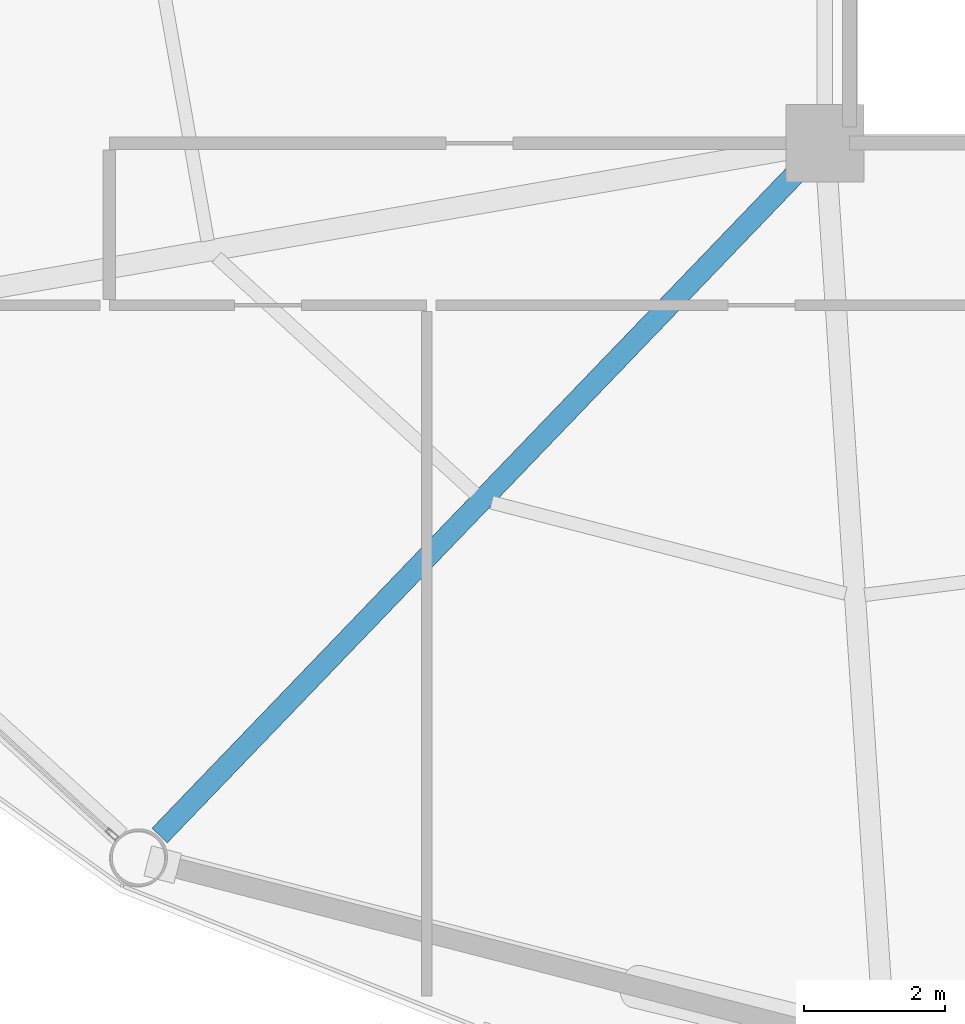
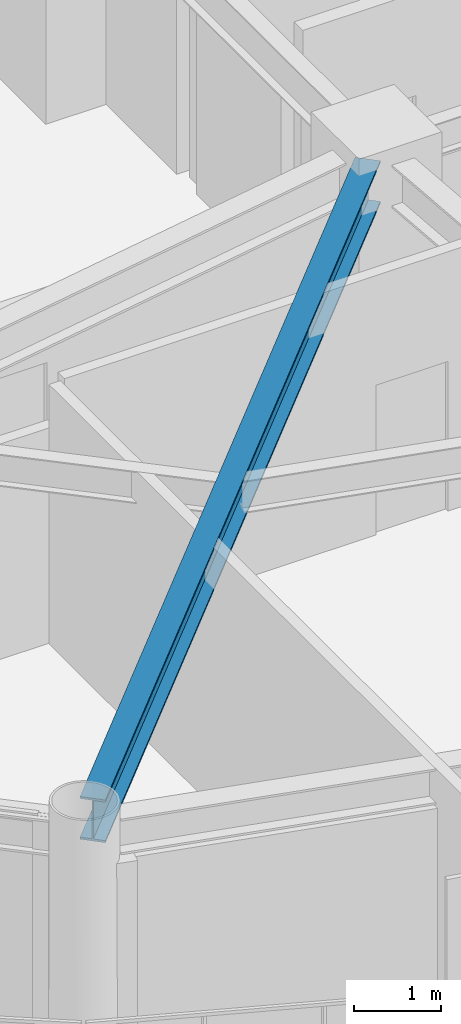
# One storey, part 3 of 24: 1 beam.
"""IFC4 building model written with IfcOpenShell, lengths in metres."""

from ifc_helpers import new_model, si_unit, direction, frame, origin, origin_2d, place, context, subcontext, project, spatial, i_section, extrude, material, material_profile, profile_set, type_object, element, save


model = new_model("IFC4")

# Units and contexts
model_context = context("Model", 3, precision=1e-05, world=origin(), true_north=direction((0.0, 1.0)))
body_context = subcontext(model_context, "Body", "Model", "MODEL_VIEW")
ifc_project = project(units=[si_unit("LENGTHUNIT", "METRE"), si_unit("AREAUNIT", "SQUARE_METRE"), si_unit("VOLUMEUNIT", "CUBIC_METRE"), si_unit("PLANEANGLEUNIT", "RADIAN"), si_unit("MASSUNIT", "GRAM", prefix="KILO")], contexts=[model_context])

# Site, building, storey
site_placement = place(None, origin())
site = spatial("IfcSite", under=ifc_project, at=site_placement, CompositionType="ELEMENT")
building_placement = place(site_placement, origin())
building = spatial("IfcBuilding", under=site, at=building_placement, Name="Varnakorn Sky Granary", CompositionType="ELEMENT")
storey_placement = place(building_placement, frame((0.0, 0.0, 118.800048828125)))
storey = spatial("IfcBuildingStorey", under=building, at=storey_placement, Name="L29", CompositionType="ELEMENT", Elevation=118.800048828125)

# Beam
ifc_material = material(Name="Steel S355JR", Category="steel")
ifc_material_profile = material_profile(ifc_material, i_section(OverallWidth=0.300048828125, OverallDepth=0.60009765625, WebThickness=0.015380859375, FlangeThickness=0.030029296875, at=origin_2d()), Name="HE 600 B")
ifc_profile_set = profile_set([ifc_material_profile], Name="Steel S355JR")
beam_type = type_object("IfcBeamType", Name="BM-RAD-Z2", PredefinedType="BEAM", material=ifc_profile_set)
beam_placement = place(storey_placement, frame((-2.64111328125, -6.90283203125, 3.33984375), z_axis=(-0.692871356085, -0.721061220644, 0.0), x_axis=(0.721061220644, -0.692871356085, 0.0)))
element("IfcBeam", 1, at=beam_placement, inside=storey, type_object=beam_type, Name="Radial Floor Girder RG09 L29", PredefinedType="BEAM", context=body_context, shape_type="SweptSolid", body=[
    extrude(i_section(OverallWidth=0.300048828125, OverallDepth=0.60009765625, WebThickness=0.015380859375, FlangeThickness=0.030029296875, at=origin_2d()), origin(), (0.0, 0.0, 1.0), 13.19873046875),
])

save(model, "model.ifc")
